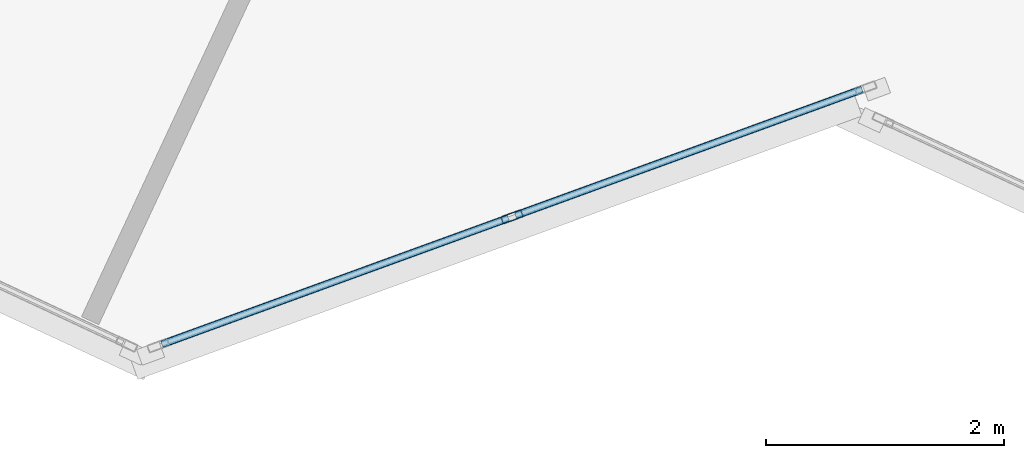
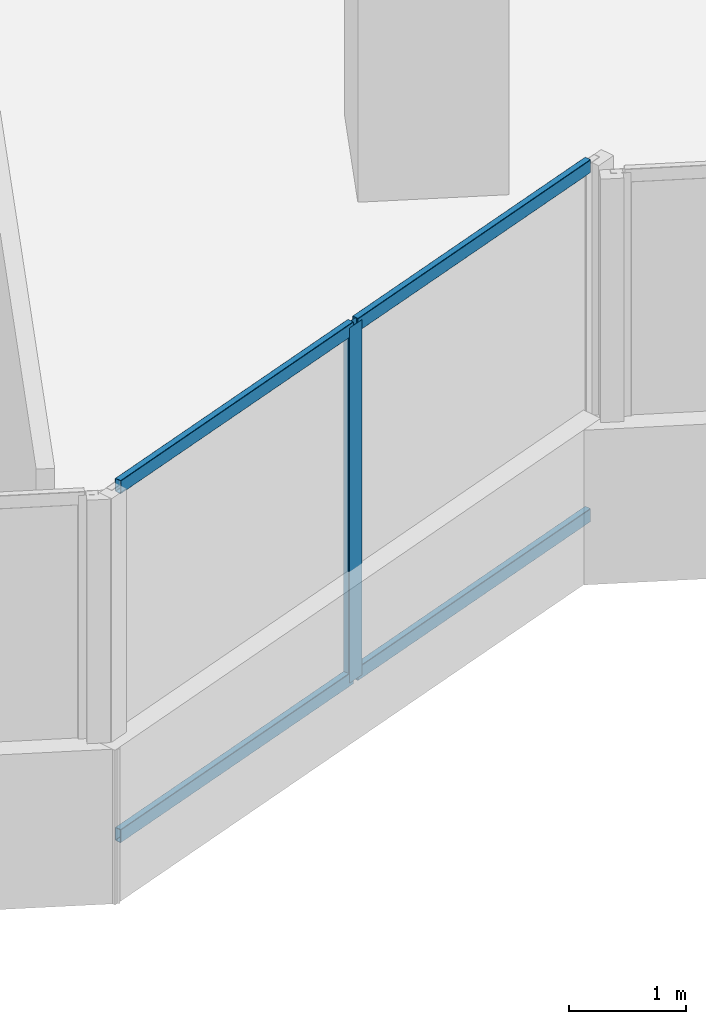
# One storey, part 5 of 23: 5 members, 1 element without a shape of its own.
"""IFC4 building model written with IfcOpenShell, lengths in metres."""

from ifc_helpers import new_model, si_unit, direction, frame, origin, origin_2d, place, context, subcontext, project, spatial, hollow_rectangle, extrude, source, transform, mapped, material, material_profile, profile_set, type_object, element, aggregate, save


model = new_model("IFC4")

# Units and contexts
model_context = context("Model", 3, precision=1e-05, world=origin(), true_north=direction((0.0, 1.0)))
body_context = subcontext(model_context, "Body", "Model", "MODEL_VIEW")
ifc_project = project(units=[si_unit("LENGTHUNIT", "METRE"), si_unit("AREAUNIT", "SQUARE_METRE"), si_unit("VOLUMEUNIT", "CUBIC_METRE"), si_unit("PLANEANGLEUNIT", "RADIAN"), si_unit("MASSUNIT", "GRAM", prefix="KILO")], contexts=[model_context])

# Site, building, storey
site_placement = place(None, origin())
site = spatial("IfcSite", under=ifc_project, at=site_placement, CompositionType="ELEMENT")
building_placement = place(site_placement, origin())
building = spatial("IfcBuilding", under=site, at=building_placement, Name="Torre Montelarca", CompositionType="ELEMENT")
storey_placement = place(building_placement, frame((0.0, 0.0, 154.0)))
storey = spatial("IfcBuildingStorey", under=building, at=storey_placement, Name="L34", CompositionType="ELEMENT", Elevation=154.0)

# Curtain wall, members
ifc_material_1 = material(Name="Insulated low-E laminated glass", Category="glass")
curtain_wall_type = type_object("IfcCurtainWallType", Name="CW-SYS-Z2", PredefinedType="USERDEFINED", material=ifc_material_1)
curtain_wall_placement = place(storey_placement, origin())
curtain_wall = element("IfcCurtainWall", 1, at=curtain_wall_placement, inside=storey, type_object=curtain_wall_type, Name="L34 Curtain Wall Run CW-T3-L34-E02-B1", ObjectType="UNITISED GLAZING", PredefinedType="USERDEFINED")
ifc_material_2 = material(Name="Anodised aluminium AA 6063-T6", Category="aluminium")
ifc_material_profile_1 = material_profile(ifc_material_2, hollow_rectangle(XDim=0.06494140625, YDim=0.139892578125, WallThickness=0.00390625, InnerFilletRadius=0.00390625, OuterFilletRadius=0.008056640625, at=origin_2d()), Name="ALU65X140X4", Category="aluminium")
ifc_profile_set_1 = profile_set([ifc_material_profile_1], Name="Anodised aluminium AA 6063-T6")
member_type_1 = type_object("IfcMemberType", Name="CWT-ALU140", PredefinedType="USERDEFINED", material=ifc_profile_set_1)
shared_shape_1 = source(origin(), body_context, "Body", "SweptSolid", [
    extrude(hollow_rectangle(XDim=0.06494140625, YDim=0.139892578125, WallThickness=0.00390625, InnerFilletRadius=0.00390625, OuterFilletRadius=0.008056640625, at=origin_2d()), origin(), (0.0, 0.0, 1.0), 3.102294921875),
])
member_1_placement = place(storey_placement, frame((23.859619140625, 11.099853515625, 0.032470703125), z_axis=(0.939696884133, 0.342008429649, 0.0), x_axis=(-0.342008429649, 0.939696884133, 0.0)))
member_1 = element("IfcMember", 2, at=member_1_placement, type_object=member_type_1, Name="CW transom 1.1", ObjectType="TRANSOM", PredefinedType="USERDEFINED", context=body_context, shape_type="MappedRepresentation", body=[
    mapped(shared_shape_1, transform((0.0, 0.0, 0.0), scale=1.0)),
])
member_2_placement = place(storey_placement, frame((23.859619140625, 11.099853515625, 3.6875), z_axis=(0.939696884133, 0.342008429649, 0.0), x_axis=(-0.342008429649, 0.939696884133, 0.0)))
member_2 = element("IfcMember", 3, at=member_2_placement, type_object=member_type_1, Name="CW transom 1.2", ObjectType="TRANSOM", PredefinedType="USERDEFINED", context=body_context, shape_type="MappedRepresentation", body=[
    mapped(shared_shape_1, transform((0.0, 0.0, 0.0), scale=1.0)),
])
shared_shape_2 = source(origin(), body_context, "Body", "SweptSolid", [
    extrude(hollow_rectangle(XDim=0.06494140625, YDim=0.139892578125, WallThickness=0.00390625, InnerFilletRadius=0.00390625, OuterFilletRadius=0.008056640625, at=origin_2d()), origin(), (0.0, 0.0, 1.0), 3.102783203125),
])
member_3_placement = place(storey_placement, frame((26.8359375, 12.18310546875, 0.032470703125), z_axis=(0.93968079832, 0.342052623538, 0.0), x_axis=(-0.342052623538, 0.93968079832, 0.0)))
member_3 = element("IfcMember", 4, at=member_3_placement, type_object=member_type_1, Name="CW transom 2.1", ObjectType="TRANSOM", PredefinedType="USERDEFINED", context=body_context, shape_type="MappedRepresentation", body=[
    mapped(shared_shape_2, transform((0.0, 0.0, 0.0), scale=1.0)),
])
member_4_placement = place(storey_placement, frame((26.8359375, 12.18310546875, 3.6875), z_axis=(0.93968079832, 0.342052623538, 0.0), x_axis=(-0.342052623538, 0.93968079832, 0.0)))
member_4 = element("IfcMember", 5, at=member_4_placement, type_object=member_type_1, Name="CW transom 2.2", ObjectType="TRANSOM", PredefinedType="USERDEFINED", context=body_context, shape_type="MappedRepresentation", body=[
    mapped(shared_shape_2, transform((0.0, 0.0, 0.0), scale=1.0)),
])
ifc_material_profile_2 = material_profile(ifc_material_2, hollow_rectangle(XDim=0.06494140625, YDim=0.179931640625, WallThickness=0.00390625, InnerFilletRadius=0.00390625, OuterFilletRadius=0.008056640625, at=origin_2d()), Name="ALU65X180X4", Category="aluminium")
ifc_profile_set_2 = profile_set([ifc_material_profile_2], Name="Anodised aluminium AA 6063-T6")
member_type_2 = type_object("IfcMemberType", Name="CWM-ALU180", PredefinedType="MULLION", material=ifc_profile_set_2)
shared_shape_3 = source(origin(), body_context, "Body", "SweptSolid", [
    extrude(hollow_rectangle(XDim=0.06494140625, YDim=0.179931640625, WallThickness=0.00390625, InnerFilletRadius=0.00390625, OuterFilletRadius=0.008056640625, at=origin_2d()), origin(), (0.0, 0.0, 1.0), 3.719970703125),
])
member_5_placement = place(storey_placement, frame((26.805419921875, 12.172119140625, 0.0), z_axis=(0.0, 0.0, 1.0), x_axis=(-0.342017799316, 0.939693473932, 0.0)))
member_5 = element("IfcMember", 6, at=member_5_placement, type_object=member_type_2, Name="CW mullion 2", PredefinedType="MULLION", context=body_context, shape_type="MappedRepresentation", body=[
    mapped(shared_shape_3, transform((0.0, 0.0, 0.0), scale=1.0)),
])
aggregate(curtain_wall, [member_5, member_1, member_2, member_3, member_4])

save(model, "model.ifc")
